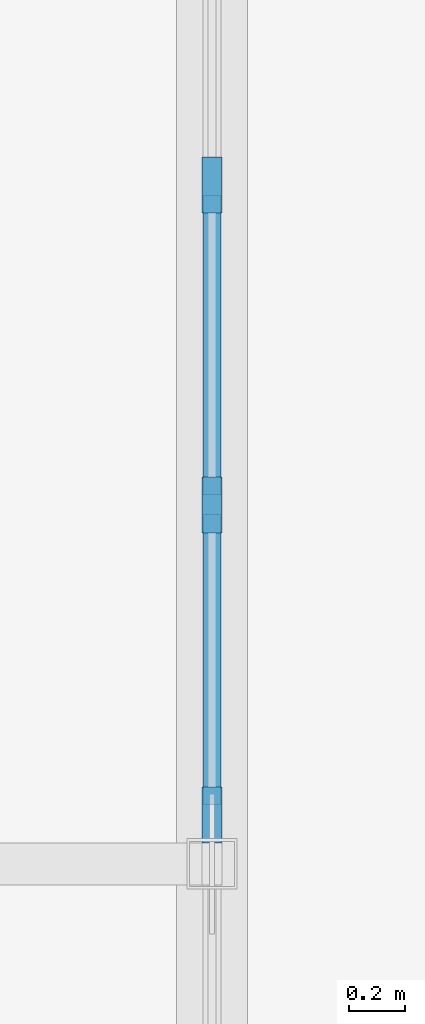
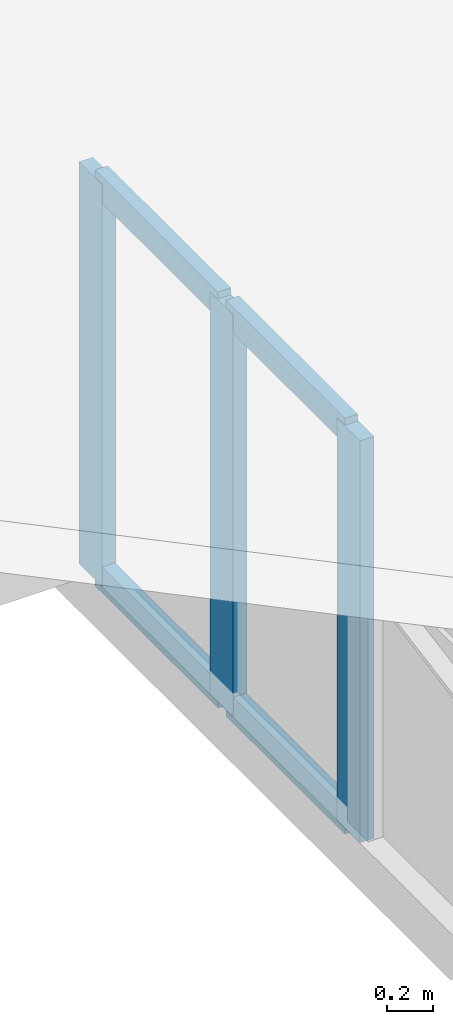
# One storey, part 36 of 105: 7 members, 1 element without a shape of its own.
"""IFC4 building model written with IfcOpenShell, lengths in metres."""

from ifc_helpers import new_model, si_unit, direction, frame, origin, origin_2d, place, context, subcontext, project, spatial, rectangle, extrude, material, material_profile, profile_set, type_object, element, aggregate, save


model = new_model("IFC4")

# Units and contexts
model_context = context("Model", 3, precision=1e-05, world=origin(), true_north=direction((0.0, 1.0)))
body_context = subcontext(model_context, "Body", "Model", "MODEL_VIEW")
ifc_project = project(units=[si_unit("LENGTHUNIT", "METRE"), si_unit("AREAUNIT", "SQUARE_METRE"), si_unit("VOLUMEUNIT", "CUBIC_METRE"), si_unit("PLANEANGLEUNIT", "RADIAN"), si_unit("MASSUNIT", "GRAM", prefix="KILO")], contexts=[model_context])

# Site, building, storey
site_placement = place(None, origin())
site = spatial("IfcSite", under=ifc_project, at=site_placement, CompositionType="ELEMENT")
building_placement = place(site_placement, origin())
building = spatial("IfcBuilding", under=site, at=building_placement, Name="Corveleigh Park Community Centre", CompositionType="ELEMENT")
storey_placement = place(building_placement, frame((0.0, 0.0, 8.699951171875)))
storey = spatial("IfcBuildingStorey", under=building, at=storey_placement, Name="L02", CompositionType="ELEMENT", Elevation=8.699951171875)

# Curtain wall, members
ifc_material = material(Name="Anodised aluminium 6063-T6", Category="aluminium")
curtain_wall_type = type_object("IfcCurtainWallType", Name="CW-SYS-V2-HALL", PredefinedType="NOTDEFINED", material=ifc_material)
curtain_wall_placement = place(storey_placement, origin())
curtain_wall = element("IfcCurtainWall", 1, at=curtain_wall_placement, inside=storey, type_object=curtain_wall_type, Name="Sports Hall E Gable Clerestory 3", PredefinedType="NOTDEFINED")
ifc_material_profile_1 = material_profile(ifc_material, rectangle(XDim=0.070068359375, YDim=0.199951171875, at=origin_2d()), Name="ALU-M70x200", Category="aluminium")
ifc_profile_set_1 = profile_set([ifc_material_profile_1], Name="Anodised aluminium 6063-T6")
member_type_1 = type_object("IfcMemberType", Name="CWM-70x200", PredefinedType="MULLION", material=ifc_profile_set_1)
member_1_placement = place(storey_placement, frame((54.39990234375, 102.419921875, 0.0), z_axis=(0.0, 0.0, 1.0), x_axis=(1.0, 0.0, 0.0)))
member_1 = element("IfcMember", 2, at=member_1_placement, type_object=member_type_1, Name="CW04 mullion 2", PredefinedType="MULLION", context=body_context, shape_type="SweptSolid", body=[
    extrude(rectangle(XDim=0.070068359375, YDim=0.199951171875, at=origin_2d()), origin(), (0.0, 0.0, 1.0), 2.135009765625),
])
member_2_placement = place(storey_placement, frame((54.39990234375, 101.280029296875, 0.0), z_axis=(0.0, 0.0, 1.0), x_axis=(1.0, 0.0, 0.0)))
member_2 = element("IfcMember", 3, at=member_2_placement, type_object=member_type_1, Name="CW04 mullion 3", PredefinedType="MULLION", context=body_context, shape_type="SweptSolid", body=[
    extrude(rectangle(XDim=0.070068359375, YDim=0.199951171875, at=origin_2d()), origin(), (0.0, 0.0, 1.0), 2.135009765625),
])
member_3_placement = place(storey_placement, frame((54.39990234375, 100.175048828125, 0.0), z_axis=(0.0, 0.0, 1.0), x_axis=(1.0, 0.0, 0.0)))
member_3 = element("IfcMember", 4, at=member_3_placement, type_object=member_type_1, Name="CW04 mullion 4", PredefinedType="MULLION", context=body_context, shape_type="SweptSolid", body=[
    extrude(rectangle(XDim=0.070068359375, YDim=0.199951171875, at=origin_2d()), origin(), (0.0, 0.0, 1.0), 2.135009765625),
])
ifc_material_profile_2 = material_profile(ifc_material, rectangle(XDim=0.06494140625, YDim=0.139892578125, at=origin_2d()), Name="ALU-T65x140", Category="aluminium")
ifc_profile_set_2 = profile_set([ifc_material_profile_2], Name="Anodised aluminium 6063-T6")
member_type_2 = type_object("IfcMemberType", Name="CWT-65x140", PredefinedType="USERDEFINED", material=ifc_profile_set_2)
member_4_placement = place(storey_placement, frame((54.39990234375, 102.385009765625, 0.032470703125), z_axis=(0.0, -1.0, 0.0), x_axis=(1.0, 0.0, 0.0)))
member_4 = element("IfcMember", 5, at=member_4_placement, type_object=member_type_2, Name="CW04 transom 2.1", ObjectType="TRANSOM", PredefinedType="USERDEFINED", context=body_context, shape_type="SweptSolid", body=[
    extrude(rectangle(XDim=0.06494140625, YDim=0.139892578125, at=origin_2d()), origin(), (0.0, 0.0, 1.0), 1.070068359375),
])
member_5_placement = place(storey_placement, frame((54.39990234375, 102.385009765625, 2.1025390625), z_axis=(0.0, -1.0, 0.0), x_axis=(1.0, 0.0, 0.0)))
member_5 = element("IfcMember", 6, at=member_5_placement, type_object=member_type_2, Name="CW04 transom 2.2", ObjectType="TRANSOM", PredefinedType="USERDEFINED", context=body_context, shape_type="SweptSolid", body=[
    extrude(rectangle(XDim=0.06494140625, YDim=0.139892578125, at=origin_2d()), origin(), (0.0, 0.0, 1.0), 1.070068359375),
])
member_6_placement = place(storey_placement, frame((54.39990234375, 101.2451171875, 0.032470703125), z_axis=(0.0, -1.0, 0.0), x_axis=(1.0, 0.0, 0.0)))
member_6 = element("IfcMember", 7, at=member_6_placement, type_object=member_type_2, Name="CW04 transom 3.1", ObjectType="TRANSOM", PredefinedType="USERDEFINED", context=body_context, shape_type="SweptSolid", body=[
    extrude(rectangle(XDim=0.06494140625, YDim=0.139892578125, at=origin_2d()), origin(), (0.0, 0.0, 1.0), 1.03515625),
])
member_7_placement = place(storey_placement, frame((54.39990234375, 101.2451171875, 2.1025390625), z_axis=(0.0, -1.0, 0.0), x_axis=(1.0, 0.0, 0.0)))
member_7 = element("IfcMember", 8, at=member_7_placement, type_object=member_type_2, Name="CW04 transom 3.2", ObjectType="TRANSOM", PredefinedType="USERDEFINED", context=body_context, shape_type="SweptSolid", body=[
    extrude(rectangle(XDim=0.06494140625, YDim=0.139892578125, at=origin_2d()), origin(), (0.0, 0.0, 1.0), 1.03515625),
])
aggregate(curtain_wall, [member_1, member_2, member_3, member_4, member_5, member_6, member_7])

save(model, "model.ifc")
